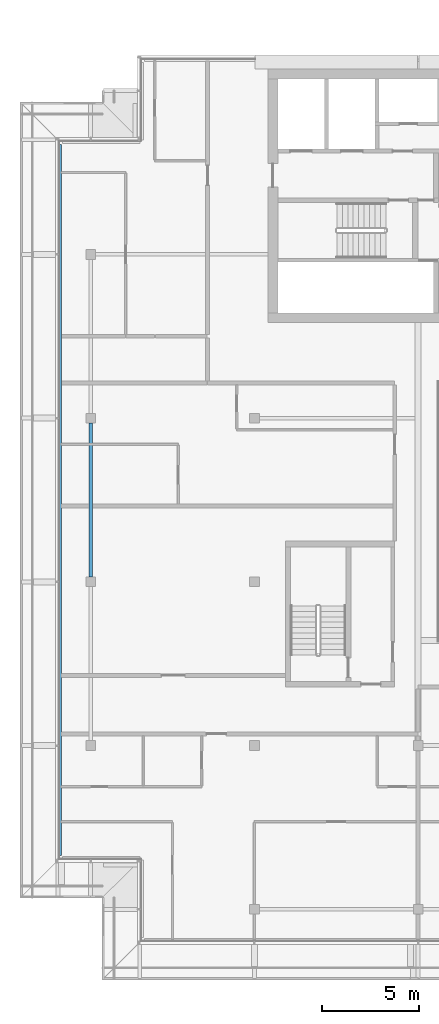
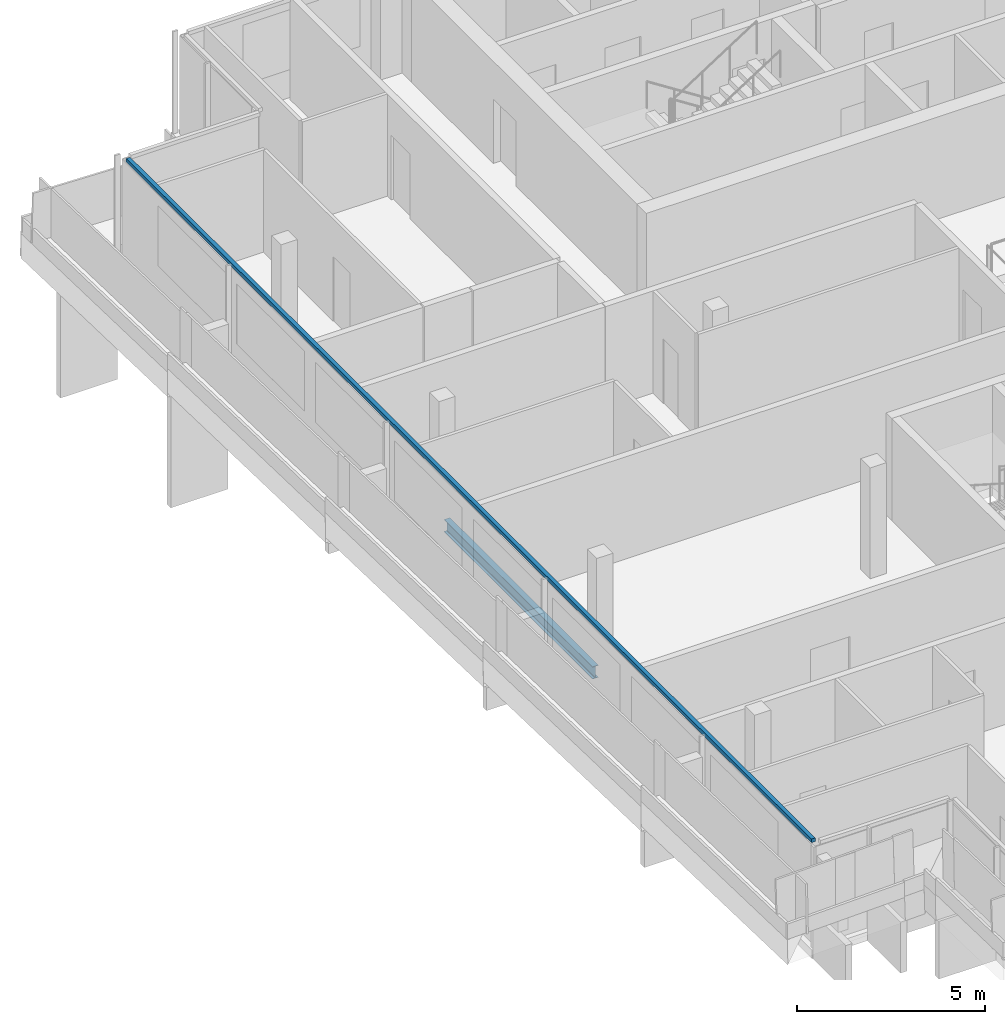
# One storey, part 3 of 27: 1 beam, 1 member, 1 element without a shape of its own.
"""IFC4 building model written with IfcOpenShell, lengths in metres."""

from ifc_helpers import new_model, si_unit, direction, frame, origin, origin_2d, place, context, subcontext, project, spatial, rectangle, i_section, extrude, material, material_profile, profile_set, type_object, element, aggregate, save


model = new_model("IFC4")

# Units and contexts
model_context = context("Model", 3, precision=1e-05, world=origin(), true_north=direction((0.0, 1.0)))
body_context = subcontext(model_context, "Body", "Model", "MODEL_VIEW")
ifc_project = project(units=[si_unit("LENGTHUNIT", "METRE"), si_unit("AREAUNIT", "SQUARE_METRE"), si_unit("VOLUMEUNIT", "CUBIC_METRE"), si_unit("PLANEANGLEUNIT", "RADIAN"), si_unit("MASSUNIT", "GRAM", prefix="KILO")], contexts=[model_context])

# Site, building, storey
site_placement = place(None, origin())
site = spatial("IfcSite", under=ifc_project, at=site_placement, CompositionType="ELEMENT")
building_placement = place(site_placement, origin())
building = spatial("IfcBuilding", under=site, at=building_placement, Name="Saffron Gate Tower", CompositionType="ELEMENT")
storey_placement = place(building_placement, frame((0.0, 0.0, 274.35009765625)))
storey = spatial("IfcBuildingStorey", under=building, at=storey_placement, Name="L66", CompositionType="ELEMENT", Elevation=274.35009765625)

# Beam
ifc_material_1 = material(Name="Structural steel S355", Category="steel")
ifc_material_profile_1 = material_profile(ifc_material_1, i_section(OverallWidth=0.179931640625, OverallDepth=0.39990234375, WebThickness=0.008544921875, FlangeThickness=0.013427734375, FilletRadius=0.02099609375, at=origin_2d()))
ifc_profile_set_1 = profile_set([ifc_material_profile_1], Name="Structural steel S355")
beam_type = type_object("IfcBeamType", Name="B5 IPE 400", PredefinedType="SPANDREL", material=ifc_profile_set_1)
beam_placement = place(storey_placement, frame((58.199951171875, 48.85009765625, -0.47998046875), z_axis=(0.0, 1.0, 0.0), x_axis=(-1.0, 0.0, 0.0)))
element("IfcBeam", 1, at=beam_placement, inside=storey, type_object=beam_type, Name="B5 SPANDREL BEAM", PredefinedType="SPANDREL", context=body_context, shape_type="SweptSolid", body=[
    extrude(i_section(OverallWidth=0.179931640625, OverallDepth=0.39990234375, WebThickness=0.008544921875, FlangeThickness=0.013427734375, FilletRadius=0.02099609375, at=origin_2d()), origin(), (0.0, 0.0, 1.0), 7.89990234375),
])

# Curtain wall, member
ifc_material_2 = material(Name="Aluminium, bronze anodised", Category="aluminium")
curtain_wall_type = type_object("IfcCurtainWallType", Name="CWS2 curtain wall side facades", PredefinedType="NOTDEFINED", material=ifc_material_2)
curtain_wall_placement = place(storey_placement, origin())
curtain_wall = element("IfcCurtainWall", 2, at=curtain_wall_placement, inside=storey, type_object=curtain_wall_type, Name="CWS2 run 10", PredefinedType="NOTDEFINED")
ifc_material_profile_2 = material_profile(ifc_material_2, rectangle(XDim=0.1201171875, YDim=0.1201171875, at=origin_2d()))
ifc_profile_set_2 = profile_set([ifc_material_profile_2], Name="Aluminium, bronze anodised")
member_type = type_object("IfcMemberType", Name="CWS2 head transom", PredefinedType="USERDEFINED", material=ifc_profile_set_2)
member_placement = place(storey_placement, frame((56.64794921875, 71.031982421875, 3.260009765625), z_axis=(0.0, -1.0, 0.0), x_axis=(1.0, 0.0, 0.0)))
member = element("IfcMember", 3, at=member_placement, type_object=member_type, Name="CWS2 head transom", ObjectType="TRANSOM", PredefinedType="USERDEFINED", context=body_context, shape_type="SweptSolid", body=[
    extrude(rectangle(XDim=0.1201171875, YDim=0.1201171875, at=origin_2d()), origin(), (0.0, 0.0, 1.0), 36.4638671875),
])
aggregate(curtain_wall, [member])

save(model, "model.ifc")
